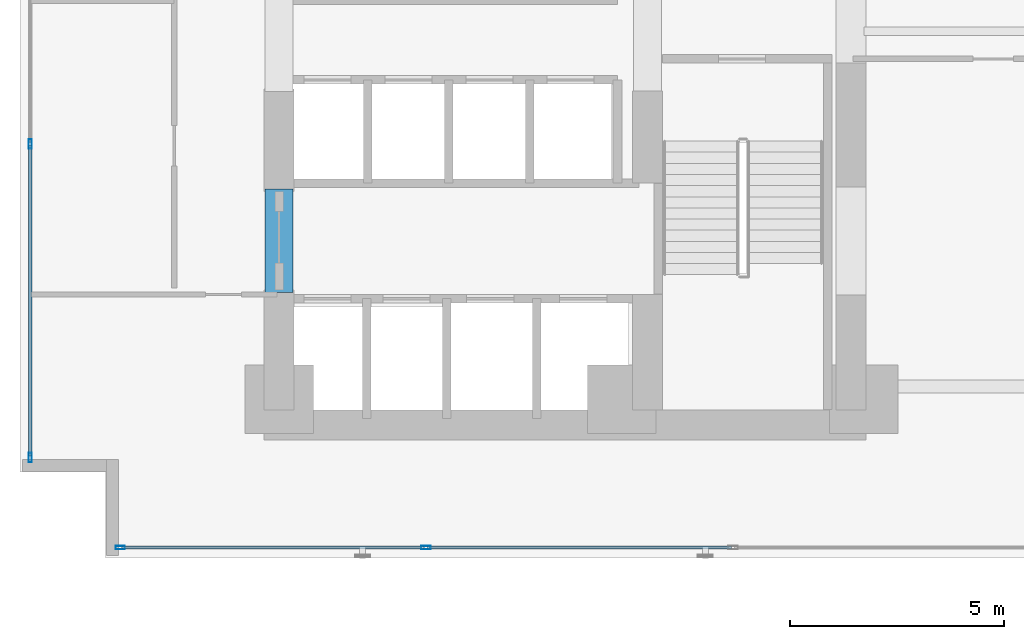
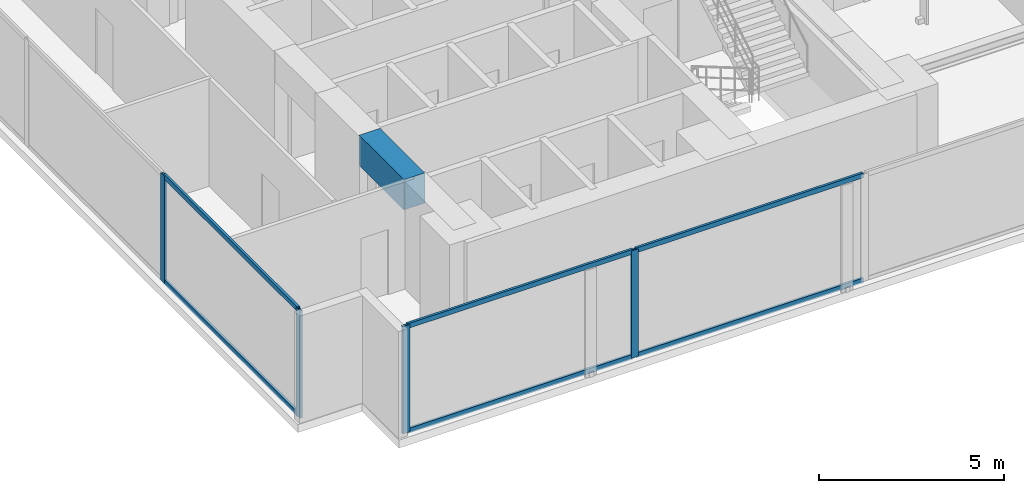
# One storey, part 2 of 27: 10 members, 1 beam, 2 elements without a shape of their own.
"""IFC4 building model written with IfcOpenShell, lengths in metres."""

from ifc_helpers import new_model, si_unit, direction, frame, origin, origin_with_axes, origin_2d, place, context, subcontext, project, spatial, rectangle, hollow_rectangle, extrude, source, transform, mapped, material, layer, layer_set, material_profile, profile_set, type_object, element, aggregate, save


model = new_model("IFC4")

# Units and contexts
model_context = context("Model", 3, precision=1e-05, world=origin(), true_north=direction((0.0, 1.0)))
body_context = subcontext(model_context, "Body", "Model", "MODEL_VIEW")
ifc_project = project(units=[si_unit("LENGTHUNIT", "METRE"), si_unit("AREAUNIT", "SQUARE_METRE"), si_unit("VOLUMEUNIT", "CUBIC_METRE"), si_unit("PLANEANGLEUNIT", "RADIAN"), si_unit("MASSUNIT", "GRAM", prefix="KILO")], contexts=[model_context])

# Site, building, storey
site_placement = place(None, origin())
site = spatial("IfcSite", under=ifc_project, at=site_placement, CompositionType="ELEMENT")
building_placement = place(site_placement, origin())
building = spatial("IfcBuilding", under=site, at=building_placement, Name="Kolvaren Waterfront Exchange", CompositionType="ELEMENT")
storey_placement = place(building_placement, frame((0.0, 0.0, 63.800048828125)))
storey = spatial("IfcBuildingStorey", under=building, at=storey_placement, Name="L16", CompositionType="ELEMENT", Elevation=63.800048828125)

# Beam
ifc_material_1 = material(Name="Concrete C60/75", Category="concrete")
ifc_material_profile_1 = material_profile(ifc_material_1, rectangle(XDim=0.64990234375, YDim=1.0, at=origin_2d()), Name="RC-CB-1000x650")
ifc_profile_set_1 = profile_set([ifc_material_profile_1], Name="Concrete C60/75")
beam_type = type_object("IfcBeamType", Name="STR-CB-1000", PredefinedType="SPANDREL", material=ifc_profile_set_1)
beam_placement = place(storey_placement, frame((7.449951171875, 7.389892578125, 3.0400390625), z_axis=(0.0, 1.0, 0.0), x_axis=(-1.0, 0.0, 0.0)))
element("IfcBeam", 1, at=beam_placement, inside=storey, type_object=beam_type, Name="L16 core coupling beam 3", PredefinedType="SPANDREL", context=body_context, shape_type="SweptSolid", body=[
    extrude(rectangle(XDim=0.64990234375, YDim=1.0, at=origin_2d()), origin(), (0.0, 0.0, 1.0), 2.420166015625),
])

# Curtain wall, members
ifc_material_2 = material(Name="Anodised bronze aluminium 6063-T6", Category="aluminium")
ifc_layer_1 = layer(ifc_material_2, 0.219970703125, Name="Anodised bronze aluminium 6063-T6")
ifc_layer_set_1 = layer_set([ifc_layer_1], Name="Anodised bronze aluminium 6063-T6")
curtain_wall_type_1 = type_object("IfcCurtainWallType", Name="ARC-CW-SYS1", PredefinedType="USERDEFINED", material=ifc_layer_set_1)
curtain_wall_1_placement = place(storey_placement, origin())
curtain_wall_1 = element("IfcCurtainWall", 2, at=curtain_wall_1_placement, inside=storey, type_object=curtain_wall_type_1, Name="L16 stick curtain wall CW1 (CW-L16-S)", ObjectType="STICK CURTAIN WALL", PredefinedType="USERDEFINED")
ifc_material_3 = material(Name="Anodised aluminium 6063-T6", Category="aluminium")
ifc_material_profile_2 = material_profile(ifc_material_3, hollow_rectangle(XDim=0.074951171875, YDim=0.159912109375, WallThickness=0.00439453125, at=origin_2d()), Name="ALU-TRN-160x75x4.5")
ifc_profile_set_2 = profile_set([ifc_material_profile_2], Name="Anodised aluminium 6063-T6")
member_type_1 = type_object("IfcMemberType", Name="ARC-CWT-160", PredefinedType="USERDEFINED", material=ifc_profile_set_2)
shared_shape_1 = source(origin_with_axes(), body_context, "Body", "SweptSolid", [
    extrude(hollow_rectangle(XDim=0.074951171875, YDim=0.159912109375, WallThickness=0.00439453125, at=origin_2d()), origin(), (0.0, 0.0, 1.0), 7.054931640625),
])
member_1_placement = place(storey_placement, frame((3.780029296875, 1.43994140625, 0.037353515625), z_axis=(1.0, 0.0, 0.0), x_axis=(0.0, 1.0, 0.0)))
member_1 = element("IfcMember", 3, at=member_1_placement, type_object=member_type_1, Name="CW1 transom 1.1", ObjectType="TRANSOM", PredefinedType="USERDEFINED", context=body_context, shape_type="MappedRepresentation", body=[
    mapped(shared_shape_1, transform((0.0, 0.0, 0.0), x_axis=(1.0, 0.0, 0.0), y_axis=(0.0, 1.0, 0.0), z_axis=(0.0, 0.0, 1.0), scale=1.0)),
])
member_2_placement = place(storey_placement, frame((3.780029296875, 1.43994140625, 3.50244140625), z_axis=(1.0, 0.0, 0.0), x_axis=(0.0, 1.0, 0.0)))
member_2 = element("IfcMember", 4, at=member_2_placement, type_object=member_type_1, Name="CW1 transom 1.2", ObjectType="TRANSOM", PredefinedType="USERDEFINED", context=body_context, shape_type="MappedRepresentation", body=[
    mapped(shared_shape_1, transform((0.0, 0.0, 0.0), x_axis=(1.0, 0.0, 0.0), y_axis=(0.0, 1.0, 0.0), z_axis=(0.0, 0.0, 1.0), scale=1.0)),
])
shared_shape_2 = source(origin_with_axes(), body_context, "Body", "SweptSolid", [
    extrude(hollow_rectangle(XDim=0.074951171875, YDim=0.159912109375, WallThickness=0.00439453125, at=origin_2d()), origin(), (0.0, 0.0, 1.0), 7.094970703125),
])
member_3_placement = place(storey_placement, frame((10.9150390625, 1.43994140625, 0.037353515625), z_axis=(1.0, 0.0, 0.0), x_axis=(0.0, 1.0, 0.0)))
member_3 = element("IfcMember", 5, at=member_3_placement, type_object=member_type_1, Name="CW1 transom 2.1", ObjectType="TRANSOM", PredefinedType="USERDEFINED", context=body_context, shape_type="MappedRepresentation", body=[
    mapped(shared_shape_2, transform((0.0, 0.0, 0.0), x_axis=(1.0, 0.0, 0.0), y_axis=(0.0, 1.0, 0.0), z_axis=(0.0, 0.0, 1.0), scale=1.0)),
])
member_4_placement = place(storey_placement, frame((10.9150390625, 1.43994140625, 3.50244140625), z_axis=(1.0, 0.0, 0.0), x_axis=(0.0, 1.0, 0.0)))
member_4 = element("IfcMember", 6, at=member_4_placement, type_object=member_type_1, Name="CW1 transom 2.2", ObjectType="TRANSOM", PredefinedType="USERDEFINED", context=body_context, shape_type="MappedRepresentation", body=[
    mapped(shared_shape_2, transform((0.0, 0.0, 0.0), x_axis=(1.0, 0.0, 0.0), y_axis=(0.0, 1.0, 0.0), z_axis=(0.0, 0.0, 1.0), scale=1.0)),
])

ifc_layer_2 = layer(ifc_material_3, 0.219970703125, Name="Anodised aluminium 6063-T6")
ifc_layer_set_2 = layer_set([ifc_layer_2], Name="Anodised aluminium 6063-T6")
curtain_wall_type_2 = type_object("IfcCurtainWallType", Name="ARC-CW-SYS2", PredefinedType="USERDEFINED", material=ifc_layer_set_2)
curtain_wall_2_placement = place(storey_placement, origin())
curtain_wall_2 = element("IfcCurtainWall", 7, at=curtain_wall_2_placement, inside=storey, type_object=curtain_wall_type_2, Name="L16 stick curtain wall CW2 (CW-L16-W)", ObjectType="STICK CURTAIN WALL", PredefinedType="USERDEFINED")
shared_shape_3 = source(origin_with_axes(), body_context, "Body", "SweptSolid", [
    extrude(hollow_rectangle(XDim=0.074951171875, YDim=0.159912109375, WallThickness=0.00439453125, at=origin_2d()), origin(), (0.0, 0.0, 1.0), 7.24658203125),
])
member_5_placement = place(storey_placement, frame((1.639892578125, 3.580078125, 0.037353515625), z_axis=(0.0, 1.0, 0.0), x_axis=(-1.0, 0.0, 0.0)))
member_5 = element("IfcMember", 8, at=member_5_placement, type_object=member_type_1, Name="CW2 transom 1.1", ObjectType="TRANSOM", PredefinedType="USERDEFINED", context=body_context, shape_type="MappedRepresentation", body=[
    mapped(shared_shape_3, transform((0.0, 0.0, 0.0), x_axis=(1.0, 0.0, 0.0), y_axis=(0.0, 1.0, 0.0), z_axis=(0.0, 0.0, 1.0), scale=1.0)),
])
member_6_placement = place(storey_placement, frame((1.639892578125, 3.580078125, 3.50244140625), z_axis=(0.0, 1.0, 0.0), x_axis=(-1.0, 0.0, 0.0)))
member_6 = element("IfcMember", 9, at=member_6_placement, type_object=member_type_1, Name="CW2 transom 1.2", ObjectType="TRANSOM", PredefinedType="USERDEFINED", context=body_context, shape_type="MappedRepresentation", body=[
    mapped(shared_shape_3, transform((0.0, 0.0, 0.0), x_axis=(1.0, 0.0, 0.0), y_axis=(0.0, 1.0, 0.0), z_axis=(0.0, 0.0, 1.0), scale=1.0)),
])

# Member
ifc_material_profile_3 = material_profile(ifc_material_3, hollow_rectangle(XDim=0.080078125, YDim=0.219970703125, WallThickness=0.0048828125, at=origin_2d()), Name="ALU-MUL-220x80x5")
ifc_profile_set_3 = profile_set([ifc_material_profile_3], Name="Anodised aluminium 6063-T6")
member_type_2 = type_object("IfcMemberType", Name="ARC-CWM-220", PredefinedType="MULLION", material=ifc_profile_set_3)
shared_shape_4 = source(origin_with_axes(), body_context, "Body", "SweptSolid", [
    extrude(hollow_rectangle(XDim=0.080078125, YDim=0.219970703125, WallThickness=0.0048828125, at=origin_2d()), origin(), (0.0, 0.0, 1.0), 3.5400390625),
])
member_7_placement = place(storey_placement, frame((3.739990234375, 1.43994140625, 0.0), z_axis=(0.0, 0.0, 1.0), x_axis=(0.0, 1.0, 0.0)))
member_7 = element("IfcMember", 10, at=member_7_placement, type_object=member_type_2, Name="CW1 mullion 1", PredefinedType="MULLION", context=body_context, shape_type="MappedRepresentation", body=[
    mapped(shared_shape_4, transform((0.0, 0.0, 0.0), x_axis=(1.0, 0.0, 0.0), y_axis=(0.0, 1.0, 0.0), z_axis=(0.0, 0.0, 1.0), scale=1.0)),
])

member_8_placement = place(storey_placement, frame((10.875, 1.43994140625, 0.0), z_axis=(0.0, 0.0, 1.0), x_axis=(0.0, 1.0, 0.0)))
member_8 = element("IfcMember", 11, at=member_8_placement, type_object=member_type_2, Name="CW1 mullion 2", PredefinedType="MULLION", context=body_context, shape_type="MappedRepresentation", body=[
    mapped(shared_shape_4, transform((0.0, 0.0, 0.0), x_axis=(1.0, 0.0, 0.0), y_axis=(0.0, 1.0, 0.0), z_axis=(0.0, 0.0, 1.0), scale=1.0)),
])

aggregate(curtain_wall_1, [member_7, member_8, member_1, member_2, member_3, member_4])

member_9_placement = place(storey_placement, frame((1.639892578125, 3.5400390625, 0.0), z_axis=(0.0, 0.0, 1.0), x_axis=(-1.0, 0.0, 0.0)))
member_9 = element("IfcMember", 12, at=member_9_placement, type_object=member_type_2, Name="CW2 mullion 1", PredefinedType="MULLION", context=body_context, shape_type="MappedRepresentation", body=[
    mapped(shared_shape_4, transform((0.0, 0.0, 0.0), x_axis=(1.0, 0.0, 0.0), y_axis=(0.0, 1.0, 0.0), z_axis=(0.0, 0.0, 1.0), scale=1.0)),
])

member_10_placement = place(storey_placement, frame((1.639892578125, 10.86669921875, 0.0), z_axis=(0.0, 0.0, 1.0), x_axis=(-1.0, 0.0, 0.0)))
member_10 = element("IfcMember", 13, at=member_10_placement, type_object=member_type_2, Name="CW2 mullion 2", PredefinedType="MULLION", context=body_context, shape_type="MappedRepresentation", body=[
    mapped(shared_shape_4, transform((0.0, 0.0, 0.0), x_axis=(1.0, 0.0, 0.0), y_axis=(0.0, 1.0, 0.0), z_axis=(0.0, 0.0, 1.0), scale=1.0)),
])

aggregate(curtain_wall_2, [member_9, member_10, member_5, member_6])

save(model, "model.ifc")
